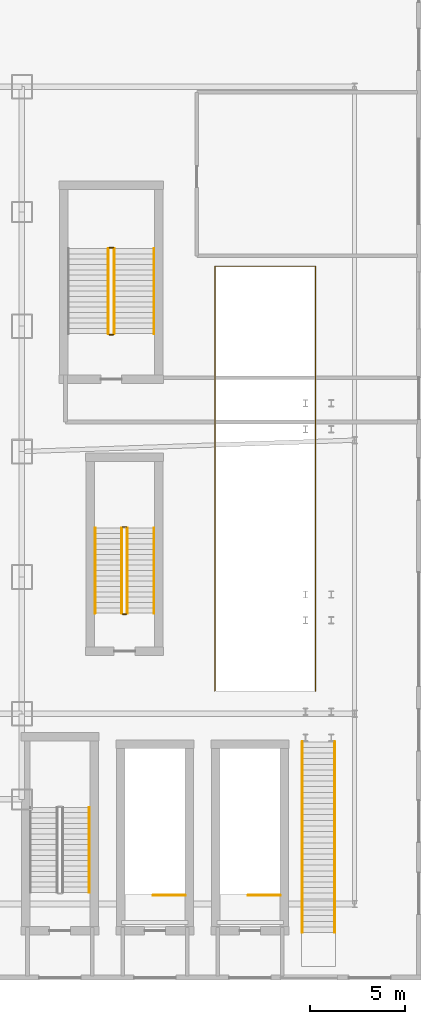
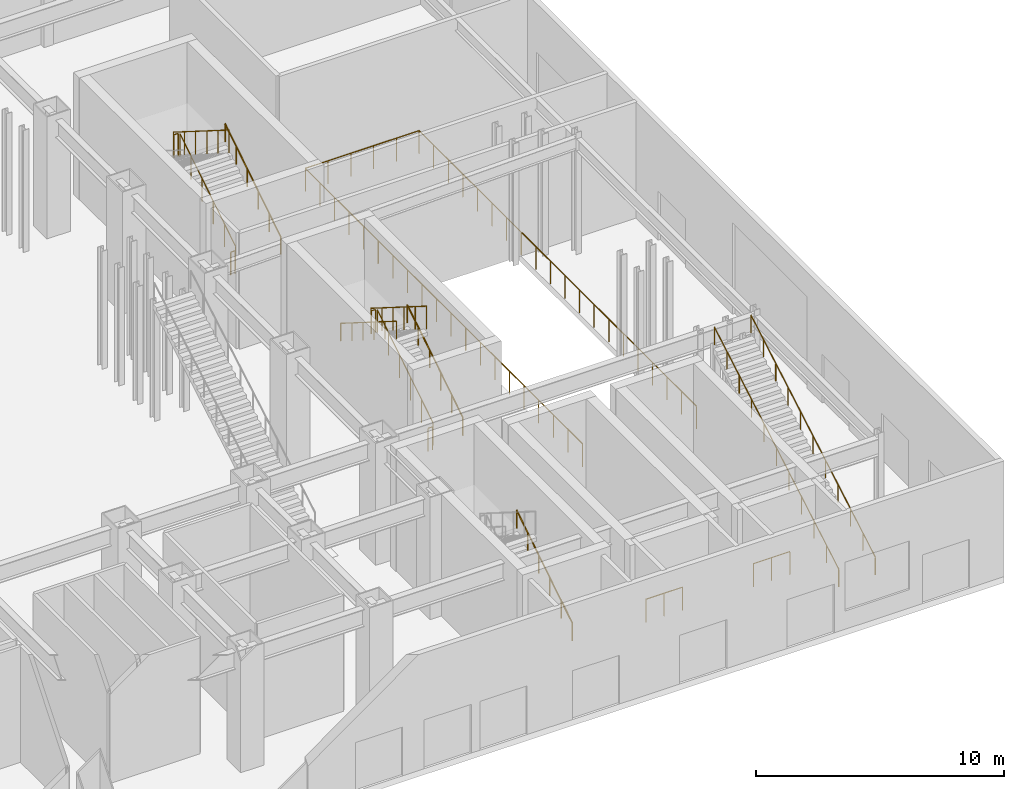
# One storey, part 22 of 25: 17 railings.
"""IFC4 building model written with IfcOpenShell, lengths in metres."""

import ifcopenshell
import ifcopenshell.guid

model = None  # the IFC model being written
_history = None  # IfcOwnerHistory: only IFC2X3 demands one
_inside = {}  # id of a spatial element -> (the spatial element, [elements in it])
_under = {}  # id of a project, library or spatial element -> (it, [spatial elements below it])
_declared = {}  # id of a project -> (the project, [libraries it declares])
_typed = {}  # id of a type object -> (the type object, [elements of that type])
_made_of = {}  # id of a material, layer set ... -> (it, [elements and type objects made of it])


def new_model(schema):
    """Start an empty IFC model of exactly this schema.

    Asked for "IFC4X3", IfcOpenShell would pick the latest addendum, in which some entities
    have other attributes; the version numbers below select the first issue.
    IFC2X3 requires an IfcOwnerHistory on every rooted entity: one is made here for all.
    """
    global model, _history
    if schema == "IFC4X3":
        model = ifcopenshell.file(schema_version=(4, 3, 0, 0))
    else:
        model = ifcopenshell.file(schema=schema)
    _inside.clear()
    _under.clear()
    _declared.clear()
    _typed.clear()
    _made_of.clear()
    _history = None
    if model.schema == "IFC2X3":
        org = make("IfcOrganization", Name="unknown")
        user = make(
            "IfcPersonAndOrganization",
            ThePerson=make("IfcPerson", FamilyName="unknown"),
            TheOrganization=org,
        )
        app = make(
            "IfcApplication",
            ApplicationDeveloper=org,
            Version="unknown",
            ApplicationFullName="unknown",
            ApplicationIdentifier="unknown",
        )
        _history = make(
            "IfcOwnerHistory",
            OwningUser=user,
            OwningApplication=app,
            ChangeAction="ADDED",
            CreationDate=0,
        )
    return model


def make(cls, **values):
    """One entity of the class cls with the attributes given. An attribute that is None is left unset."""
    return model.create_entity(
        cls, **{name: value for name, value in values.items() if value is not None}
    )


def rooted(cls, **values):
    """An entity with a GlobalId (a new one), such as an element, a storey or a relation."""
    return make(cls, GlobalId=ifcopenshell.guid.new(), OwnerHistory=_history, **values)


def si_unit(unit_type, name, prefix=None):
    """IfcSIUnit, for example si_unit("LENGTHUNIT", "METRE", prefix="MILLI")."""
    return make("IfcSIUnit", UnitType=unit_type, Prefix=prefix, Name=name)


def derived_unit(unit_type, elements):
    """IfcDerivedUnit: a product of units, each with its exponent."""
    return make(
        "IfcDerivedUnit",
        Elements=[
            make("IfcDerivedUnitElement", Unit=unit, Exponent=power)
            for unit, power in elements
        ],
        UnitType=unit_type,
    )


def assignment(units):
    """IfcUnitAssignment: the units of a project."""
    return None if units is None else make("IfcUnitAssignment", Units=units)


def point(xyz):
    """IfcCartesianPoint."""
    return None if xyz is None else make("IfcCartesianPoint", Coordinates=xyz)


def direction(xyz):
    """IfcDirection."""
    return None if xyz is None else make("IfcDirection", DirectionRatios=xyz)


def frame(location, z_axis=None, x_axis=None):
    """IfcAxis2Placement3D, a coordinate frame: its origin and axes. An axis left out is left unset."""
    return make(
        "IfcAxis2Placement3D",
        Location=point(location),
        Axis=direction(z_axis),
        RefDirection=direction(x_axis),
    )


def frame_2d(location, x_axis=None):
    """IfcAxis2Placement2D, a coordinate frame in the plane: its origin and x axis."""
    return make(
        "IfcAxis2Placement2D", Location=point(location), RefDirection=direction(x_axis)
    )


def origin():
    """The frame at (0, 0, 0) with its axes left unset."""
    return frame((0.0, 0.0, 0.0))


def origin_2d():
    """The frame at (0, 0) in the plane with its x axis left unset."""
    return frame_2d((0.0, 0.0))


def place(relative_to, where):
    """IfcLocalPlacement: puts the frame where relative to a parent placement (None: the world)."""
    return make(
        "IfcLocalPlacement", PlacementRelTo=relative_to, RelativePlacement=where
    )


def context(
    kind, dimensions, precision=None, world=None, true_north=None, identifier=None
):
    """IfcGeometricRepresentationContext, for example the 3D "Model" context."""
    return make(
        "IfcGeometricRepresentationContext",
        ContextIdentifier=identifier,
        ContextType=kind,
        CoordinateSpaceDimension=dimensions,
        Precision=precision,
        WorldCoordinateSystem=world,
        TrueNorth=true_north,
    )


def subcontext(parent, identifier, kind, view, scale=None):
    """IfcGeometricRepresentationSubContext, for example "Body" below "Model"."""
    return make(
        "IfcGeometricRepresentationSubContext",
        ContextIdentifier=identifier,
        ContextType=kind,
        ParentContext=parent,
        TargetScale=scale,
        TargetView=view,
    )


def project(units=None, contexts=None):
    """IfcProject with its units and contexts."""
    return rooted(
        "IfcProject",
        Name="project",
        RepresentationContexts=contexts,
        UnitsInContext=assignment(units),
    )


def spatial(cls, under=None, at=None, **own):
    """A site, building, storey or space (cls), placed at a placement, below another one or the project."""
    s = rooted(cls, ObjectPlacement=at, **own)
    if under is not None:
        _under.setdefault(under.id(), (under, []))[1].append(s)
    return s


def profile(cls, at=None, kind="AREA", **sizes):
    """A parametric profile (cls). Its sizes go by their IFC names, for example OverallWidth=200.0."""
    return make(cls, ProfileType=kind, Position=at, **sizes)


def circle(**sizes):
    """IfcCircleProfileDef."""
    return profile("IfcCircleProfileDef", **sizes)


def extrude(swept, where, along, depth):
    """IfcExtrudedAreaSolid: the profile swept, set in the frame where, extruded along a direction by depth."""
    return make(
        "IfcExtrudedAreaSolid",
        SweptArea=swept,
        Position=where,
        ExtrudedDirection=direction(along),
        Depth=depth,
    )


def shape(context_of_items, identifier, shape_type, items):
    """IfcShapeRepresentation: the items that make up one representation, for example the "Body"."""
    return make(
        "IfcShapeRepresentation",
        ContextOfItems=context_of_items,
        RepresentationIdentifier=identifier,
        RepresentationType=shape_type,
        Items=items,
    )


def material(Name=None, Category=None):
    """IfcMaterial."""
    return make("IfcMaterial", Name=Name, Category=Category)


def made_of(thing, what):
    """Note that an element or type object is made of a material, layer set ...; save() writes the relation."""
    if what is not None:
        _made_of.setdefault(what.id(), (what, []))[1].append(thing)
    return thing


def type_object(cls, material=None, **own):
    """A type object (cls), such as IfcWallType, which elements share."""
    return made_of(rooted(cls, **own), material)


def element(
    cls,
    number,
    at=None,
    inside=None,
    cuts=None,
    type_object=None,
    material=None,
    context=None,
    identifier="Body",
    shape_type=None,
    held_by="IfcProductDefinitionShape",
    body=None,
    shapes=None,
    **own,
):
    """One element of the class cls, such as IfcWall. Its Tag is "e" and its number.

    at: its placement. inside: the storey or other place that contains it. cuts: it is an
    opening in that element (IfcRelVoidsElement). A single representation is given by context,
    identifier, shape_type and body (its items); several are given by shapes. held_by: the class
    of the entity that holds the representations. save() writes the other relations.
    """
    e = rooted(cls, Tag="e%d" % number, ObjectPlacement=at, **own)
    if body is not None:
        shapes = [shape(context, identifier, shape_type, body)]
    if shapes is not None:
        e.Representation = make(held_by, Representations=shapes)
    if inside is not None:
        _inside.setdefault(inside.id(), (inside, []))[1].append(e)
    if cuts is not None:
        rooted(
            "IfcRelVoidsElement", RelatingBuildingElement=cuts, RelatedOpeningElement=e
        )
    if type_object is not None:
        _typed.setdefault(type_object.id(), (type_object, []))[1].append(e)
    return made_of(e, material)


def aggregate(whole, parts):
    """IfcRelAggregates: a whole, such as a stair, and the parts it consists of."""
    return rooted("IfcRelAggregates", RelatingObject=whole, RelatedObjects=parts)


def save(model, path):
    """Write the relations noted so far, then the file.

    IfcRelAggregates (storeys below a building ...), IfcRelContainedInSpatialStructure (elements
    in a storey), IfcRelDefinesByType, IfcRelAssociatesMaterial and IfcRelDeclares: one each for
    every whole, place, type object, material and project.
    """
    for whole, parts in _under.values():
        aggregate(whole, parts)
    for where, things in _inside.values():
        rooted(
            "IfcRelContainedInSpatialStructure",
            RelatedElements=things,
            RelatingStructure=where,
        )
    for kind, things in _typed.values():
        rooted("IfcRelDefinesByType", RelatedObjects=things, RelatingType=kind)
    for what, things in _made_of.values():
        rooted("IfcRelAssociatesMaterial", RelatedObjects=things, RelatingMaterial=what)
    for by, libraries in _declared.values():
        rooted("IfcRelDeclares", RelatingContext=by, RelatedDefinitions=libraries)
    model.write(path)


model = new_model("IFC4")

# Units and contexts
model_context = context("Model", 3, precision=1e-05, world=origin(), true_north=direction((0.0, 1.0)))
body_context = subcontext(model_context, "Body", "Model", "MODEL_VIEW")
ifc_project = project(units=[si_unit("LENGTHUNIT", "METRE"), si_unit("AREAUNIT", "SQUARE_METRE"), si_unit("VOLUMEUNIT", "CUBIC_METRE"), si_unit("PLANEANGLEUNIT", "RADIAN"), si_unit("MASSUNIT", "GRAM", prefix="KILO"), derived_unit("THERMALTRANSMITTANCEUNIT", [(si_unit("POWERUNIT", "WATT"), 1), (si_unit("LENGTHUNIT", "METRE"), -2), (si_unit("THERMODYNAMICTEMPERATUREUNIT", "KELVIN"), -1)])], contexts=[model_context])

# Site, building, storey
site_placement = place(None, origin())
site = spatial("IfcSite", under=ifc_project, at=site_placement, CompositionType="ELEMENT")
building_placement = place(site_placement, origin())
building = spatial("IfcBuilding", under=site, at=building_placement, Name="Skarnbrae Concourse Arena and Tower", CompositionType="ELEMENT")
storey_placement = place(building_placement, origin())
storey = spatial("IfcBuildingStorey", under=building, at=storey_placement, Name="L00", CompositionType="ELEMENT", Elevation=0.0)

# Railings
ifc_material = material(Name="Steel CSA G40.21 350W", Category="steel")
railing_type_1 = type_object("IfcRailingType", Name="RAIL-GUARD-1150", PredefinedType="GUARDRAIL", material=ifc_material)
railing_1_placement = place(storey_placement, frame((71.14990234375, 15.199951171875, 0.0)))
element("IfcRailing", 1, at=railing_1_placement, inside=storey, type_object=railing_type_1, Name="L00 Vehicle ramp well perimeter guardrail", PredefinedType="GUARDRAIL", context=body_context, shape_type="SweptSolid", body=[
    extrude(circle(Radius=0.02392578125, at=origin_2d()), frame((0.0, 0.0, 1.1259765625), z_axis=(0.0, 1.0, 0.0), x_axis=(-1.0, 0.0, 0.0)), (0.0, 0.0, 1.0), 22.35009765625),
    extrude(circle(Radius=0.02392578125, at=origin_2d()), frame((0.0, 22.35009765625, 1.1259765625), z_axis=(1.0, 0.0, 0.0), x_axis=(0.0, 1.0, 0.0)), (0.0, 0.0, 1.0), 5.300048828125),
    extrude(circle(Radius=0.02392578125, at=origin_2d()), frame((5.300048828125, 22.35009765625, 1.1259765625), z_axis=(0.0, -1.0, 0.0), x_axis=(1.0, 0.0, 0.0)), (0.0, 0.0, 1.0), 22.35009765625),
    extrude(circle(Radius=0.02099609375, at=origin_2d()), origin(), (0.0, 0.0, 1.0), 1.101806640625),
    extrude(circle(Radius=0.02099609375, at=origin_2d()), frame((0.0, 1.17626953125, 0.0)), (0.0, 0.0, 1.0), 1.101806640625),
    extrude(circle(Radius=0.02099609375, at=origin_2d()), frame((0.0, 2.3525390625, 0.0)), (0.0, 0.0, 1.0), 1.101806640625),
    extrude(circle(Radius=0.02099609375, at=origin_2d()), frame((0.0, 3.529052734375, 0.0)), (0.0, 0.0, 1.0), 1.101806640625),
    extrude(circle(Radius=0.02099609375, at=origin_2d()), frame((0.0, 4.705322265625, 0.0)), (0.0, 0.0, 1.0), 1.101806640625),
    extrude(circle(Radius=0.02099609375, at=origin_2d()), frame((0.0, 5.881591796875, 0.0)), (0.0, 0.0, 1.0), 1.101806640625),
    extrude(circle(Radius=0.02099609375, at=origin_2d()), frame((0.0, 7.057861328125, 0.0)), (0.0, 0.0, 1.0), 1.101806640625),
    extrude(circle(Radius=0.02099609375, at=origin_2d()), frame((0.0, 8.234130859375, 0.0)), (0.0, 0.0, 1.0), 1.101806640625),
    extrude(circle(Radius=0.02099609375, at=origin_2d()), frame((0.0, 9.41064453125, 0.0)), (0.0, 0.0, 1.0), 1.101806640625),
    extrude(circle(Radius=0.02099609375, at=origin_2d()), frame((0.0, 10.5869140625, 0.0)), (0.0, 0.0, 1.0), 1.101806640625),
    extrude(circle(Radius=0.02099609375, at=origin_2d()), frame((0.0, 11.76318359375, 0.0)), (0.0, 0.0, 1.0), 1.101806640625),
    extrude(circle(Radius=0.02099609375, at=origin_2d()), frame((0.0, 12.939453125, 0.0)), (0.0, 0.0, 1.0), 1.101806640625),
    extrude(circle(Radius=0.02099609375, at=origin_2d()), frame((0.0, 14.115966796875, 0.0)), (0.0, 0.0, 1.0), 1.101806640625),
    extrude(circle(Radius=0.02099609375, at=origin_2d()), frame((0.0, 15.292236328125, 0.0)), (0.0, 0.0, 1.0), 1.101806640625),
    extrude(circle(Radius=0.02099609375, at=origin_2d()), frame((0.0, 16.468505859375, 0.0)), (0.0, 0.0, 1.0), 1.101806640625),
    extrude(circle(Radius=0.02099609375, at=origin_2d()), frame((0.0, 17.644775390625, 0.0)), (0.0, 0.0, 1.0), 1.101806640625),
    extrude(circle(Radius=0.02099609375, at=origin_2d()), frame((0.0, 18.821044921875, 0.0)), (0.0, 0.0, 1.0), 1.101806640625),
    extrude(circle(Radius=0.02099609375, at=origin_2d()), frame((0.0, 19.99755859375, 0.0)), (0.0, 0.0, 1.0), 1.101806640625),
    extrude(circle(Radius=0.02099609375, at=origin_2d()), frame((0.0, 21.173828125, 0.0)), (0.0, 0.0, 1.0), 1.101806640625),
    extrude(circle(Radius=0.02099609375, at=origin_2d()), frame((0.0, 22.35009765625, 0.0)), (0.0, 0.0, 1.0), 1.101806640625),
    extrude(circle(Radius=0.02099609375, at=origin_2d()), frame((1.06005859375, 22.35009765625, 0.0)), (0.0, 0.0, 1.0), 1.101806640625),
    extrude(circle(Radius=0.02099609375, at=origin_2d()), frame((2.1201171875, 22.35009765625, 0.0)), (0.0, 0.0, 1.0), 1.101806640625),
    extrude(circle(Radius=0.02099609375, at=origin_2d()), frame((3.179931640625, 22.35009765625, 0.0)), (0.0, 0.0, 1.0), 1.101806640625),
    extrude(circle(Radius=0.02099609375, at=origin_2d()), frame((4.239990234375, 22.35009765625, 0.0)), (0.0, 0.0, 1.0), 1.101806640625),
    extrude(circle(Radius=0.02099609375, at=origin_2d()), frame((5.300048828125, 22.35009765625, 0.0)), (0.0, 0.0, 1.0), 1.101806640625),
    extrude(circle(Radius=0.02099609375, at=origin_2d()), frame((5.300048828125, 21.173828125, 0.0)), (0.0, 0.0, 1.0), 1.101806640625),
    extrude(circle(Radius=0.02099609375, at=origin_2d()), frame((5.300048828125, 19.99755859375, 0.0)), (0.0, 0.0, 1.0), 1.101806640625),
    extrude(circle(Radius=0.02099609375, at=origin_2d()), frame((5.300048828125, 18.821044921875, 0.0)), (0.0, 0.0, 1.0), 1.101806640625),
    extrude(circle(Radius=0.02099609375, at=origin_2d()), frame((5.300048828125, 17.644775390625, 0.0)), (0.0, 0.0, 1.0), 1.101806640625),
    extrude(circle(Radius=0.02099609375, at=origin_2d()), frame((5.300048828125, 16.468505859375, 0.0)), (0.0, 0.0, 1.0), 1.101806640625),
    extrude(circle(Radius=0.02099609375, at=origin_2d()), frame((5.300048828125, 15.292236328125, 0.0)), (0.0, 0.0, 1.0), 1.101806640625),
    extrude(circle(Radius=0.02099609375, at=origin_2d()), frame((5.300048828125, 14.115966796875, 0.0)), (0.0, 0.0, 1.0), 1.101806640625),
    extrude(circle(Radius=0.02099609375, at=origin_2d()), frame((5.300048828125, 12.939453125, 0.0)), (0.0, 0.0, 1.0), 1.101806640625),
    extrude(circle(Radius=0.02099609375, at=origin_2d()), frame((5.300048828125, 11.76318359375, 0.0)), (0.0, 0.0, 1.0), 1.101806640625),
    extrude(circle(Radius=0.02099609375, at=origin_2d()), frame((5.300048828125, 10.5869140625, 0.0)), (0.0, 0.0, 1.0), 1.101806640625),
    extrude(circle(Radius=0.02099609375, at=origin_2d()), frame((5.300048828125, 9.41064453125, 0.0)), (0.0, 0.0, 1.0), 1.101806640625),
    extrude(circle(Radius=0.02099609375, at=origin_2d()), frame((5.300048828125, 8.234130859375, 0.0)), (0.0, 0.0, 1.0), 1.101806640625),
    extrude(circle(Radius=0.02099609375, at=origin_2d()), frame((5.300048828125, 7.057861328125, 0.0)), (0.0, 0.0, 1.0), 1.101806640625),
    extrude(circle(Radius=0.02099609375, at=origin_2d()), frame((5.300048828125, 5.881591796875, 0.0)), (0.0, 0.0, 1.0), 1.101806640625),
    extrude(circle(Radius=0.02099609375, at=origin_2d()), frame((5.300048828125, 4.705322265625, 0.0)), (0.0, 0.0, 1.0), 1.101806640625),
    extrude(circle(Radius=0.02099609375, at=origin_2d()), frame((5.300048828125, 3.529052734375, 0.0)), (0.0, 0.0, 1.0), 1.101806640625),
    extrude(circle(Radius=0.02099609375, at=origin_2d()), frame((5.300048828125, 2.3525390625, 0.0)), (0.0, 0.0, 1.0), 1.101806640625),
    extrude(circle(Radius=0.02099609375, at=origin_2d()), frame((5.300048828125, 1.17626953125, 0.0)), (0.0, 0.0, 1.0), 1.101806640625),
    extrude(circle(Radius=0.02099609375, at=origin_2d()), frame((5.300048828125, 0.0, 0.0)), (0.0, 0.0, 1.0), 1.101806640625),
])
railing_type_2 = type_object("IfcRailingType", Name="RAIL-HANDRAIL-900", PredefinedType="HANDRAIL", material=ifc_material)
for number, where, name in (
    (2, (64.550048828125, 4.60009765625, 0.176513671875), "L00 ST-A1 stair handrail 1"),
    (3, (67.949951171875, 19.300048828125, 0.176513671875), "L00 ST-A2 stair handrail 1"),
):
    element("IfcRailing", number, at=place(storey_placement, frame(where)), inside=storey, type_object=railing_type_2, Name=name, PredefinedType="HANDRAIL", context=body_context, shape_type="SweptSolid", body=[
        extrude(circle(Radius=0.02392578125, at=origin_2d()), frame((0.0, 0.0, 0.8759765625), z_axis=(0.0, 0.845997938375, 0.533186166611), x_axis=(-1.0, 0.0, 0.0)), (0.0, 0.0, 1.0), 5.29541015625),
        extrude(circle(Radius=0.02099609375, at=origin_2d()), origin(), (0.0, 0.0, 1.0), 0.851806640625),
        extrude(circle(Radius=0.02099609375, at=origin_2d()), frame((0.0, 0.89599609375, 0.564697265625)), (0.0, 0.0, 1.0), 0.851806640625),
        extrude(circle(Radius=0.02099609375, at=origin_2d()), frame((0.0, 1.7919921875, 1.12939453125)), (0.0, 0.0, 1.0), 0.851806640625),
        extrude(circle(Radius=0.02099609375, at=origin_2d()), frame((0.0, 2.68798828125, 1.694091796875)), (0.0, 0.0, 1.0), 0.851806640625),
        extrude(circle(Radius=0.02099609375, at=origin_2d()), frame((0.0, 3.583984375, 2.2587890625)), (0.0, 0.0, 1.0), 0.851806640625),
        extrude(circle(Radius=0.02099609375, at=origin_2d()), frame((0.0, 4.47998046875, 2.823486328125)), (0.0, 0.0, 1.0), 0.851806640625),
    ])
railing_2_placement = place(storey_placement, frame((64.85009765625, 23.780029296875, 3.176513671875)))
element("IfcRailing", 4, at=railing_2_placement, inside=storey, type_object=railing_type_2, Name="L00 ST-A2 stair handrail 2", PredefinedType="HANDRAIL", context=body_context, shape_type="SweptSolid", body=[
    extrude(circle(Radius=0.02392578125, at=origin_2d()), frame((0.0, 0.0, 0.8759765625), z_axis=(0.0, -0.845997938375, 0.533186166611), x_axis=(1.0, 0.0, 0.0)), (0.0, 0.0, 1.0), 5.29541015625),
    extrude(circle(Radius=0.02099609375, at=origin_2d()), origin(), (0.0, 0.0, 1.0), 0.851806640625),
    extrude(circle(Radius=0.02099609375, at=origin_2d()), frame((0.0, -0.89599609375, 0.564697265625)), (0.0, 0.0, 1.0), 0.851806640625),
    extrude(circle(Radius=0.02099609375, at=origin_2d()), frame((0.0, -1.7919921875, 1.12939453125)), (0.0, 0.0, 1.0), 0.851806640625),
    extrude(circle(Radius=0.02099609375, at=origin_2d()), frame((0.0, -2.68798828125, 1.694091796875)), (0.0, 0.0, 1.0), 0.851806640625),
    extrude(circle(Radius=0.02099609375, at=origin_2d()), frame((0.0, -3.583984375, 2.2587890625)), (0.0, 0.0, 1.0), 0.851806640625),
    extrude(circle(Radius=0.02099609375, at=origin_2d()), frame((0.0, -4.47998046875, 2.823486328125)), (0.0, 0.0, 1.0), 0.851806640625),
])
railing_3_placement = place(storey_placement, frame((67.949951171875, 34.0, 0.176513671875)))
element("IfcRailing", 5, at=railing_3_placement, inside=storey, type_object=railing_type_2, Name="L00 ST-A4 stair handrail 1", PredefinedType="HANDRAIL", context=body_context, shape_type="SweptSolid", body=[
    extrude(circle(Radius=0.02392578125, at=origin_2d()), frame((0.0, 0.0, 0.8759765625), z_axis=(0.0, 0.845997938375, 0.533186166611), x_axis=(-1.0, 0.0, 0.0)), (0.0, 0.0, 1.0), 5.29541015625),
    extrude(circle(Radius=0.02099609375, at=origin_2d()), origin(), (0.0, 0.0, 1.0), 0.851806640625),
    extrude(circle(Radius=0.02099609375, at=origin_2d()), frame((0.0, 0.89599609375, 0.564697265625)), (0.0, 0.0, 1.0), 0.851806640625),
    extrude(circle(Radius=0.02099609375, at=origin_2d()), frame((0.0, 1.7919921875, 1.12939453125)), (0.0, 0.0, 1.0), 0.851806640625),
    extrude(circle(Radius=0.02099609375, at=origin_2d()), frame((0.0, 2.68798828125, 1.694091796875)), (0.0, 0.0, 1.0), 0.851806640625),
    extrude(circle(Radius=0.02099609375, at=origin_2d()), frame((0.0, 3.583984375, 2.2587890625)), (0.0, 0.0, 1.0), 0.851806640625),
    extrude(circle(Radius=0.02099609375, at=origin_2d()), frame((0.0, 4.47998046875, 2.823486328125)), (0.0, 0.0, 1.0), 0.851806640625),
])
for number, where, name in (
    (6, (75.75, 2.5, 0.17138671875), "ST-CONC-1 Handrail W L00"),
    (7, (77.449951171875, 2.5, 0.17138671875), "ST-CONC-1 Handrail E L00"),
):
    element("IfcRailing", number, at=place(storey_placement, frame(where)), inside=storey, type_object=railing_type_2, Name=name, PredefinedType="HANDRAIL", context=body_context, shape_type="SweptSolid", body=[
        extrude(circle(Radius=0.02392578125, at=origin_2d()), frame((0.0, 0.0, 0.8759765625), z_axis=(0.0, 0.864612012544, 0.502440113611), x_axis=(-1.0, 0.0, 0.0)), (0.0, 0.0, 1.0), 11.6005859375),
        extrude(circle(Radius=0.02099609375, at=origin_2d()), origin(), (0.0, 0.0, 1.0), 0.851806640625),
        extrude(circle(Radius=0.02099609375, at=origin_2d()), frame((0.0, 1.0029296875, 0.582763671875)), (0.0, 0.0, 1.0), 0.851806640625),
        extrude(circle(Radius=0.02099609375, at=origin_2d()), frame((0.0, 2.006103515625, 1.165771484375)), (0.0, 0.0, 1.0), 0.851806640625),
        extrude(circle(Radius=0.02099609375, at=origin_2d()), frame((0.0, 3.009033203125, 1.74853515625)), (0.0, 0.0, 1.0), 0.851806640625),
        extrude(circle(Radius=0.02099609375, at=origin_2d()), frame((0.0, 4.011962890625, 2.33154296875)), (0.0, 0.0, 1.0), 0.851806640625),
        extrude(circle(Radius=0.02099609375, at=origin_2d()), frame((0.0, 5.01513671875, 2.914306640625)), (0.0, 0.0, 1.0), 0.851806640625),
        extrude(circle(Radius=0.02099609375, at=origin_2d()), frame((0.0, 6.01806640625, 3.4970703125)), (0.0, 0.0, 1.0), 0.851806640625),
        extrude(circle(Radius=0.02099609375, at=origin_2d()), frame((0.0, 7.02099609375, 4.080078125)), (0.0, 0.0, 1.0), 0.851806640625),
        extrude(circle(Radius=0.02099609375, at=origin_2d()), frame((0.0, 8.02392578125, 4.662841796875)), (0.0, 0.0, 1.0), 0.851806640625),
        extrude(circle(Radius=0.02099609375, at=origin_2d()), frame((0.0, 9.027099609375, 5.245849609375)), (0.0, 0.0, 1.0), 0.851806640625),
        extrude(circle(Radius=0.02099609375, at=origin_2d()), frame((0.0, 10.030029296875, 5.82861328125)), (0.0, 0.0, 1.0), 0.851806640625),
    ])
railing_type_3 = type_object("IfcRailingType", Name="RAIL-STAIR-GUARD-1150", PredefinedType="GUARDRAIL", material=ifc_material)
railing_4_placement = place(storey_placement, frame((66.550048828125, 19.300048828125, 0.176513671875)))
element("IfcRailing", 8, at=railing_4_placement, inside=storey, type_object=railing_type_3, Name="L00 ST-A2 stair guard 1", PredefinedType="GUARDRAIL", context=body_context, shape_type="SweptSolid", body=[
    extrude(circle(Radius=0.02392578125, at=origin_2d()), frame((0.0, 0.0, 1.1259765625), z_axis=(0.0, 0.845997938375, 0.533186166611), x_axis=(-1.0, 0.0, 0.0)), (0.0, 0.0, 1.0), 5.29541015625),
    extrude(circle(Radius=0.02099609375, at=origin_2d()), origin(), (0.0, 0.0, 1.0), 1.101806640625),
    extrude(circle(Radius=0.02099609375, at=origin_2d()), frame((0.0, 0.89599609375, 0.564697265625)), (0.0, 0.0, 1.0), 1.101806640625),
    extrude(circle(Radius=0.02099609375, at=origin_2d()), frame((0.0, 1.7919921875, 1.12939453125)), (0.0, 0.0, 1.0), 1.101806640625),
    extrude(circle(Radius=0.02099609375, at=origin_2d()), frame((0.0, 2.68798828125, 1.694091796875)), (0.0, 0.0, 1.0), 1.101806640625),
    extrude(circle(Radius=0.02099609375, at=origin_2d()), frame((0.0, 3.583984375, 2.2587890625)), (0.0, 0.0, 1.0), 1.101806640625),
    extrude(circle(Radius=0.02099609375, at=origin_2d()), frame((0.0, 4.47998046875, 2.823486328125)), (0.0, 0.0, 1.0), 1.101806640625),
])
railing_5_placement = place(storey_placement, frame((66.5, 23.830078125, 3.0)))
element("IfcRailing", 9, at=railing_5_placement, inside=storey, type_object=railing_type_3, Name="L00 ST-A2 stair guard 2", PredefinedType="GUARDRAIL", context=body_context, shape_type="SweptSolid", body=[
    extrude(circle(Radius=0.02392578125, at=origin_2d()), frame((0.0, 0.0, 1.1259765625), z_axis=(-1.0, 0.0, 0.0), x_axis=(0.0, -1.0, 0.0)), (0.0, 0.0, 1.0), 0.199951171875),
    extrude(circle(Radius=0.02099609375, at=origin_2d()), origin(), (0.0, 0.0, 1.0), 1.101806640625),
    extrude(circle(Radius=0.02099609375, at=origin_2d()), frame((-0.199951171875, 0.0, 0.0)), (0.0, 0.0, 1.0), 1.101806640625),
])
railing_6_placement = place(storey_placement, frame((66.25, 23.780029296875, 3.176513671875)))
element("IfcRailing", 10, at=railing_6_placement, inside=storey, type_object=railing_type_3, Name="L00 ST-A2 stair guard 3", PredefinedType="GUARDRAIL", context=body_context, shape_type="SweptSolid", body=[
    extrude(circle(Radius=0.02392578125, at=origin_2d()), frame((0.0, 0.0, 1.1259765625), z_axis=(0.0, -0.845997938375, 0.533186166611), x_axis=(1.0, 0.0, 0.0)), (0.0, 0.0, 1.0), 5.29541015625),
    extrude(circle(Radius=0.02099609375, at=origin_2d()), origin(), (0.0, 0.0, 1.0), 1.101806640625),
    extrude(circle(Radius=0.02099609375, at=origin_2d()), frame((0.0, -0.89599609375, 0.564697265625)), (0.0, 0.0, 1.0), 1.101806640625),
    extrude(circle(Radius=0.02099609375, at=origin_2d()), frame((0.0, -1.7919921875, 1.12939453125)), (0.0, 0.0, 1.0), 1.101806640625),
    extrude(circle(Radius=0.02099609375, at=origin_2d()), frame((0.0, -2.68798828125, 1.694091796875)), (0.0, 0.0, 1.0), 1.101806640625),
    extrude(circle(Radius=0.02099609375, at=origin_2d()), frame((0.0, -3.583984375, 2.2587890625)), (0.0, 0.0, 1.0), 1.101806640625),
    extrude(circle(Radius=0.02099609375, at=origin_2d()), frame((0.0, -4.47998046875, 2.823486328125)), (0.0, 0.0, 1.0), 1.101806640625),
])
railing_7_placement = place(storey_placement, frame((66.5, 19.25, 0.0)))
element("IfcRailing", 11, at=railing_7_placement, inside=storey, type_object=railing_type_3, Name="L00 ST-A2 stair guard 4", PredefinedType="GUARDRAIL", context=body_context, shape_type="SweptSolid", body=[
    extrude(circle(Radius=0.02392578125, at=origin_2d()), frame((0.0, 0.0, 1.1259765625), z_axis=(-1.0, 0.0, 0.0), x_axis=(0.0, -1.0, 0.0)), (0.0, 0.0, 1.0), 0.199951171875),
    extrude(circle(Radius=0.02099609375, at=origin_2d()), origin(), (0.0, 0.0, 1.0), 1.101806640625),
    extrude(circle(Radius=0.02099609375, at=origin_2d()), frame((-0.199951171875, 0.0, 0.0)), (0.0, 0.0, 1.0), 1.101806640625),
])
railing_8_placement = place(storey_placement, frame((65.85009765625, 34.0, 0.176513671875)))
element("IfcRailing", 12, at=railing_8_placement, inside=storey, type_object=railing_type_3, Name="L00 ST-A4 stair guard 1", PredefinedType="GUARDRAIL", context=body_context, shape_type="SweptSolid", body=[
    extrude(circle(Radius=0.02392578125, at=origin_2d()), frame((0.0, 0.0, 1.1259765625), z_axis=(0.0, 0.845997938375, 0.533186166611), x_axis=(-1.0, 0.0, 0.0)), (0.0, 0.0, 1.0), 5.29541015625),
    extrude(circle(Radius=0.02099609375, at=origin_2d()), origin(), (0.0, 0.0, 1.0), 1.101806640625),
    extrude(circle(Radius=0.02099609375, at=origin_2d()), frame((0.0, 0.89599609375, 0.564697265625)), (0.0, 0.0, 1.0), 1.101806640625),
    extrude(circle(Radius=0.02099609375, at=origin_2d()), frame((0.0, 1.7919921875, 1.12939453125)), (0.0, 0.0, 1.0), 1.101806640625),
    extrude(circle(Radius=0.02099609375, at=origin_2d()), frame((0.0, 2.68798828125, 1.694091796875)), (0.0, 0.0, 1.0), 1.101806640625),
    extrude(circle(Radius=0.02099609375, at=origin_2d()), frame((0.0, 3.583984375, 2.2587890625)), (0.0, 0.0, 1.0), 1.101806640625),
    extrude(circle(Radius=0.02099609375, at=origin_2d()), frame((0.0, 4.47998046875, 2.823486328125)), (0.0, 0.0, 1.0), 1.101806640625),
])
railing_9_placement = place(storey_placement, frame((65.800048828125, 38.530029296875, 3.0)))
element("IfcRailing", 13, at=railing_9_placement, inside=storey, type_object=railing_type_3, Name="L00 ST-A4 stair guard 2", PredefinedType="GUARDRAIL", context=body_context, shape_type="SweptSolid", body=[
    extrude(circle(Radius=0.02392578125, at=origin_2d()), frame((0.0, 0.0, 1.1259765625), z_axis=(-1.0, 0.0, 0.0), x_axis=(0.0, -1.0, 0.0)), (0.0, 0.0, 1.0), 0.199951171875),
    extrude(circle(Radius=0.02099609375, at=origin_2d()), origin(), (0.0, 0.0, 1.0), 1.101806640625),
    extrude(circle(Radius=0.02099609375, at=origin_2d()), frame((-0.199951171875, 0.0, 0.0)), (0.0, 0.0, 1.0), 1.101806640625),
])
railing_10_placement = place(storey_placement, frame((65.550048828125, 38.47998046875, 3.176513671875)))
element("IfcRailing", 14, at=railing_10_placement, inside=storey, type_object=railing_type_3, Name="L00 ST-A4 stair guard 3", PredefinedType="GUARDRAIL", context=body_context, shape_type="SweptSolid", body=[
    extrude(circle(Radius=0.02392578125, at=origin_2d()), frame((0.0, 0.0, 1.1259765625), z_axis=(0.0, -0.845997938375, 0.533186166611), x_axis=(1.0, 0.0, 0.0)), (0.0, 0.0, 1.0), 5.29541015625),
    extrude(circle(Radius=0.02099609375, at=origin_2d()), origin(), (0.0, 0.0, 1.0), 1.101806640625),
    extrude(circle(Radius=0.02099609375, at=origin_2d()), frame((0.0, -0.89599609375, 0.564697265625)), (0.0, 0.0, 1.0), 1.101806640625),
    extrude(circle(Radius=0.02099609375, at=origin_2d()), frame((0.0, -1.7919921875, 1.12939453125)), (0.0, 0.0, 1.0), 1.101806640625),
    extrude(circle(Radius=0.02099609375, at=origin_2d()), frame((0.0, -2.68798828125, 1.694091796875)), (0.0, 0.0, 1.0), 1.101806640625),
    extrude(circle(Radius=0.02099609375, at=origin_2d()), frame((0.0, -3.583984375, 2.2587890625)), (0.0, 0.0, 1.0), 1.101806640625),
    extrude(circle(Radius=0.02099609375, at=origin_2d()), frame((0.0, -4.47998046875, 2.823486328125)), (0.0, 0.0, 1.0), 1.101806640625),
])
railing_11_placement = place(storey_placement, frame((65.800048828125, 33.949951171875, 0.0)))
element("IfcRailing", 15, at=railing_11_placement, inside=storey, type_object=railing_type_3, Name="L00 ST-A4 stair guard 4", PredefinedType="GUARDRAIL", context=body_context, shape_type="SweptSolid", body=[
    extrude(circle(Radius=0.02392578125, at=origin_2d()), frame((0.0, 0.0, 1.1259765625), z_axis=(-1.0, 0.0, 0.0), x_axis=(0.0, -1.0, 0.0)), (0.0, 0.0, 1.0), 0.199951171875),
    extrude(circle(Radius=0.02099609375, at=origin_2d()), origin(), (0.0, 0.0, 1.0), 1.101806640625),
    extrude(circle(Radius=0.02099609375, at=origin_2d()), frame((-0.199951171875, 0.0, 0.0)), (0.0, 0.0, 1.0), 1.101806640625),
])
for number, where, name in (
    (16, (69.60009765625, 4.449951171875, 0.0), "L00 ST-B1 top well guard 1"),
    (17, (74.60009765625, 4.449951171875, 0.0), "L00 ST-B2 top well guard 1"),
):
    element("IfcRailing", number, at=place(storey_placement, frame(where)), inside=storey, type_object=railing_type_3, Name=name, PredefinedType="GUARDRAIL", context=body_context, shape_type="SweptSolid", body=[
        extrude(circle(Radius=0.02392578125, at=origin_2d()), frame((0.0, 0.0, 1.1259765625), z_axis=(-1.0, 0.0, 0.0), x_axis=(0.0, -1.0, 0.0)), (0.0, 0.0, 1.0), 1.7001953125),
        extrude(circle(Radius=0.02099609375, at=origin_2d()), origin(), (0.0, 0.0, 1.0), 1.101806640625),
        extrude(circle(Radius=0.02099609375, at=origin_2d()), frame((-0.85009765625, 0.0, 0.0)), (0.0, 0.0, 1.0), 1.101806640625),
        extrude(circle(Radius=0.02099609375, at=origin_2d()), frame((-1.7001953125, 0.0, 0.0)), (0.0, 0.0, 1.0), 1.101806640625),
    ])

save(model, "model.ifc")
